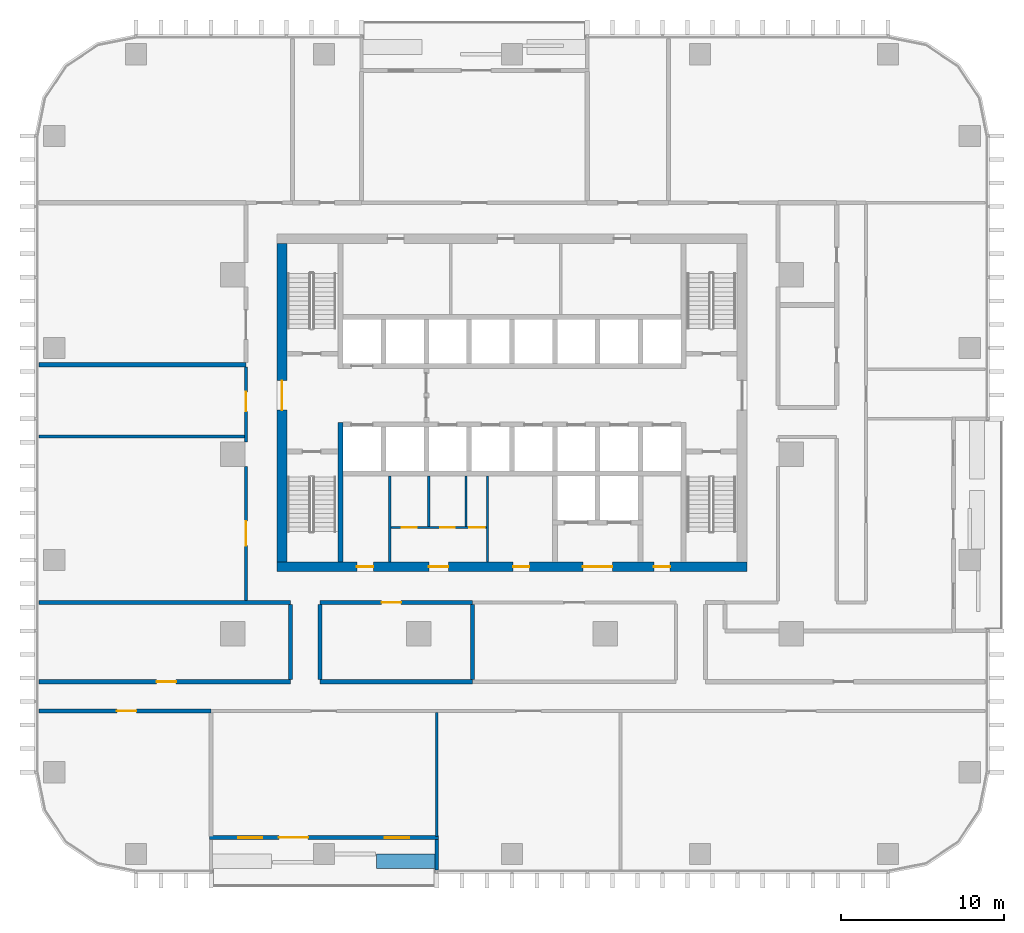
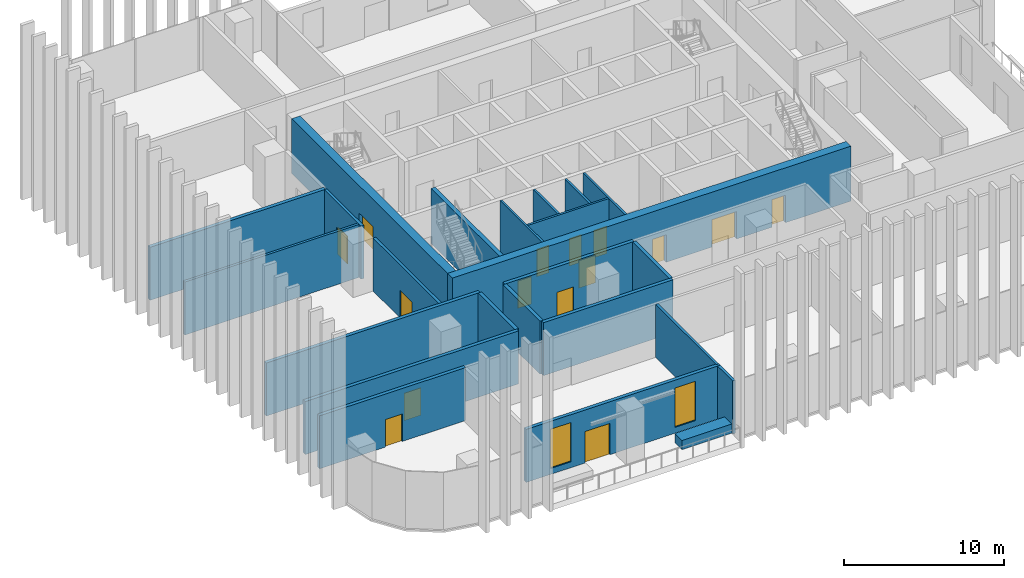
# One storey, part 7 of 17: 24 walls, 15 doors, 2 windows, 17 openings.
"""IFC4 building model written with IfcOpenShell, lengths in metres."""

from ifc_helpers import new_model, si_unit, direction, frame, frame_2d, origin, place, context, subcontext, project, spatial, rectangle, extrude, material, layer, layer_set, type_object, element, fill, save


model = new_model("IFC4")

# Units and contexts
model_context = context("Model", 3, precision=1e-05, world=origin(), true_north=direction((0.0, 1.0)))
body_context = subcontext(model_context, "Body", "Model", "MODEL_VIEW")
ifc_project = project(units=[si_unit("LENGTHUNIT", "METRE"), si_unit("AREAUNIT", "SQUARE_METRE"), si_unit("VOLUMEUNIT", "CUBIC_METRE"), si_unit("PLANEANGLEUNIT", "RADIAN"), si_unit("MASSUNIT", "GRAM", prefix="KILO")], contexts=[model_context])

# Site, building, storey
site_placement = place(None, origin())
site = spatial("IfcSite", under=ifc_project, at=site_placement, CompositionType="ELEMENT")
building_placement = place(site_placement, origin())
building = spatial("IfcBuilding", under=site, at=building_placement, Name="Mopane Tessera Tower", CompositionType="ELEMENT")
storey_placement = place(building_placement, frame((0.0, 0.0, 135.10009765625)))
storey = spatial("IfcBuildingStorey", under=building, at=storey_placement, Name="L27", CompositionType="ELEMENT", Elevation=135.10009765625)

# Wall
ifc_material_1 = material(Name="Fire-rated gypsum board partition")
ifc_layer_1 = layer(ifc_material_1, 0.14990234375)
ifc_layer_set_1 = layer_set([ifc_layer_1], Name="Fire-rated gypsum board partition")
wall_type_1 = type_object("IfcWallType", Name="Core room partition 150 mm", PredefinedType="PARTITIONING", material=ifc_layer_set_1)
wall_1_placement = place(storey_placement, frame((-7.5, -6.60009765625, 0.0), z_axis=(0.0, 0.0, 1.0), x_axis=(0.0, 1.0, 0.0)))
element("IfcWall", 1, at=wall_1_placement, inside=storey, type_object=wall_type_1, Name="L27 Room partition", PredefinedType="PARTITIONING", context=body_context, shape_type="SweptSolid", body=[
    extrude(rectangle(XDim=5.25, YDim=0.14990234375, at=frame_2d((2.625, 0.0))), origin(), (0.0, 0.0, 1.0), 4.199951171875),
])

# Wall, openings, doors
wall_2_placement = place(storey_placement, frame((-7.425048828125, -4.5, 0.0), z_axis=(0.0, 0.0, 1.0), x_axis=(1.0, 0.0, 0.0)))
wall_2 = element("IfcWall", 2, at=wall_2_placement, inside=storey, type_object=wall_type_1, Name="L27 WC partition", PredefinedType="PARTITIONING", context=body_context, shape_type="SweptSolid", body=[
    extrude(rectangle(XDim=5.85009765625, YDim=0.14990234375, at=frame_2d((2.925048828125, 0.0))), origin(), (0.0, 0.0, 1.0), 4.199951171875),
])
opening_1_placement = place(wall_2_placement, frame((0.675048828125, 0.0, 0.0)))
opening_1 = element("IfcOpeningElement", 3, at=opening_1_placement, cuts=wall_2, Name="Opening WD1", PredefinedType="OPENING", context=body_context, shape_type="SweptSolid", body=[
    extrude(rectangle(XDim=0.89990234375, YDim=2.10009765625, at=frame_2d((0.449951171875, 1.050048828125))), frame((0.0, 0.0869140625, 0.0), z_axis=(0.0, -1.0, 0.0), x_axis=(1.0, 0.0, 0.0)), (0.0, 0.0, 1.0), 0.173828125),
])
opening_2_placement = place(wall_2_placement, frame((3.014892578125, 0.0, 0.0)))
opening_2 = element("IfcOpeningElement", 4, at=opening_2_placement, cuts=wall_2, Name="Opening WD1", PredefinedType="OPENING", context=body_context, shape_type="SweptSolid", body=[
    extrude(rectangle(XDim=0.89990234375, YDim=2.10009765625, at=frame_2d((0.449951171875, 1.050048828125))), frame((0.0, 0.0869140625, 0.0), z_axis=(0.0, -1.0, 0.0), x_axis=(1.0, 0.0, 0.0)), (0.0, 0.0, 1.0), 0.173828125),
])
opening_3_placement = place(wall_2_placement, frame((4.7900390625, 0.0, 0.0)))
opening_3 = element("IfcOpeningElement", 5, at=opening_3_placement, cuts=wall_2, Name="Opening WD2", PredefinedType="OPENING", context=body_context, shape_type="SweptSolid", body=[
    extrude(rectangle(XDim=0.949951171875, YDim=2.10009765625, at=frame_2d((0.47509765625, 1.050048828125))), frame((0.0, 0.0869140625, 0.0), z_axis=(0.0, -1.0, 0.0), x_axis=(1.0, 0.0, 0.0)), (0.0, 0.0, 1.0), 0.173828125),
])
ifc_material_2 = material(Name="Timber door", Category="wood")
door_type_1 = type_object("IfcDoorType", Name="Accessible WC door 950 x 2100", OperationType="SINGLE_SWING_LEFT", PredefinedType="DOOR", material=ifc_material_2)
door_1_placement = place(opening_3_placement, origin())
door_1 = element("IfcDoor", 6, at=door_1_placement, inside=storey, type_object=door_type_1, Name="L27 Accessible WC door", OperationType="SINGLE_SWING_LEFT", OverallHeight=2.10009765625, OverallWidth=0.949951171875, PredefinedType="DOOR", context=body_context, shape_type="SweptSolid", body=[
    extrude(rectangle(XDim=0.949951171875, YDim=2.10009765625, at=frame_2d((0.47509765625, 1.050048828125))), frame((0.0, 0.02490234375, 0.0), z_axis=(0.0, -1.0, 0.0), x_axis=(1.0, 0.0, 0.0)), (0.0, 0.0, 1.0), 0.050048828125),
])
fill(opening_3, door_1)
ifc_material_3 = material(Name="Timber door", Category="wood")
door_type_2 = type_object("IfcDoorType", Name="WC cubicle door 900 x 2100", OperationType="SINGLE_SWING_LEFT", PredefinedType="DOOR", material=ifc_material_3)
door_2_placement = place(opening_1_placement, origin())
door_2 = element("IfcDoor", 7, at=door_2_placement, inside=storey, type_object=door_type_2, Name="L27 Men's WC door", OperationType="SINGLE_SWING_LEFT", OverallHeight=2.10009765625, OverallWidth=0.89990234375, PredefinedType="DOOR", context=body_context, shape_type="SweptSolid", body=[
    extrude(rectangle(XDim=0.89990234375, YDim=2.10009765625, at=frame_2d((0.449951171875, 1.050048828125))), frame((0.0, 0.02490234375, 0.0), z_axis=(0.0, -1.0, 0.0), x_axis=(1.0, 0.0, 0.0)), (0.0, 0.0, 1.0), 0.050048828125),
])
fill(opening_1, door_2)
door_3_placement = place(opening_2_placement, origin())
door_3 = element("IfcDoor", 8, at=door_3_placement, inside=storey, type_object=door_type_2, Name="L27 Women's WC door", OperationType="SINGLE_SWING_LEFT", OverallHeight=2.10009765625, OverallWidth=0.89990234375, PredefinedType="DOOR", context=body_context, shape_type="SweptSolid", body=[
    extrude(rectangle(XDim=0.89990234375, YDim=2.10009765625, at=frame_2d((0.449951171875, 1.050048828125))), frame((0.0, 0.02490234375, 0.0), z_axis=(0.0, -1.0, 0.0), x_axis=(1.0, 0.0, 0.0)), (0.0, 0.0, 1.0), 0.050048828125),
])
fill(opening_2, door_3)

# Walls
for number, where, z_axis, x_axis, name in (
    (9, (-5.10009765625, -4.425048828125, 0.0), (0.0, 0.0, 1.0), (0.0, 1.0, 0.0), "L27 WC partition"),
    (10, (-2.820068359375, -4.425048828125, 0.0), (0.0, 0.0, 1.0), (0.0, 1.0, 0.0), "L27 WC partition"),
):
    element("IfcWall", number, at=place(storey_placement, frame(where, z_axis=z_axis, x_axis=x_axis)), inside=storey, type_object=wall_type_1, Name=name, PredefinedType="PARTITIONING", context=body_context, shape_type="SweptSolid", body=[
        extrude(rectangle(XDim=3.074951171875, YDim=0.14990234375, at=frame_2d((1.53759765625, 0.0))), origin(), (0.0, 0.0, 1.0), 4.199951171875),
    ])
wall_3_placement = place(storey_placement, frame((-1.5, -6.60009765625, 0.0), z_axis=(0.0, 0.0, 1.0), x_axis=(0.0, 1.0, 0.0)))
element("IfcWall", 11, at=wall_3_placement, inside=storey, type_object=wall_type_1, Name="L27 Room partition", PredefinedType="PARTITIONING", context=body_context, shape_type="SweptSolid", body=[
    extrude(rectangle(XDim=5.25, YDim=0.14990234375, at=frame_2d((2.625, 0.0))), origin(), (0.0, 0.0, 1.0), 4.199951171875),
])

# Wall, openings, doors
ifc_material_4 = material(Name="Concrete C70/85", Category="concrete")
ifc_layer_2 = layer(ifc_material_4, 0.60009765625)
ifc_layer_set_2 = layer_set([ifc_layer_2], Name="Concrete C70/85")
wall_type_2 = type_object("IfcWallType", Name="Core shear wall 600 mm", PredefinedType="SHEAR", material=ifc_layer_set_2)
wall_4_placement = place(storey_placement, frame((-14.39990234375, -6.89990234375, 0.0), z_axis=(0.0, 0.0, 1.0), x_axis=(1.0, 0.0, 0.0)))
wall_4 = element("IfcWall", 12, at=wall_4_placement, inside=storey, type_object=wall_type_2, Name="L27 Core wall south", PredefinedType="SHEAR", context=body_context, shape_type="SweptSolid", body=[
    extrude(rectangle(XDim=28.7998046875, YDim=0.60009765625, at=frame_2d((14.39990234375, 0.0))), origin(), (0.0, 0.0, 1.0), 4.199951171875),
])
opening_4_placement = place(wall_4_placement, frame((4.89990234375, 0.0, 0.0)))
opening_4 = element("IfcOpeningElement", 13, at=opening_4_placement, cuts=wall_4, Name="Opening RD1", PredefinedType="OPENING", context=body_context, shape_type="SweptSolid", body=[
    extrude(rectangle(XDim=1.0, YDim=2.10009765625, at=frame_2d((0.5, 1.050048828125))), frame((0.0, 0.31201171875, 0.0), z_axis=(0.0, -1.0, 0.0), x_axis=(1.0, 0.0, 0.0)), (0.0, 0.0, 1.0), 0.6240234375),
])
opening_5_placement = place(wall_4_placement, frame((9.300048828125, 0.0, 0.0)))
opening_5 = element("IfcOpeningElement", 14, at=opening_5_placement, cuts=wall_4, Name="Opening WD3", PredefinedType="OPENING", context=body_context, shape_type="SweptSolid", body=[
    extrude(rectangle(XDim=1.199951171875, YDim=2.10009765625, at=frame_2d((0.60009765625, 1.050048828125))), frame((0.0, 0.31201171875, 0.0), z_axis=(0.0, -1.0, 0.0), x_axis=(1.0, 0.0, 0.0)), (0.0, 0.0, 1.0), 0.6240234375),
])
opening_6_placement = place(wall_4_placement, frame((14.46240234375, 0.0, 0.0)))
opening_6 = element("IfcOpeningElement", 15, at=opening_6_placement, cuts=wall_4, Name="Opening RD1", PredefinedType="OPENING", context=body_context, shape_type="SweptSolid", body=[
    extrude(rectangle(XDim=1.0, YDim=2.10009765625, at=frame_2d((0.5, 1.050048828125))), frame((0.0, 0.31201171875, 0.0), z_axis=(0.0, -1.0, 0.0), x_axis=(1.0, 0.0, 0.0)), (0.0, 0.0, 1.0), 0.6240234375),
])
opening_7_placement = place(wall_4_placement, frame((18.75, 0.0, 0.0)))
opening_7 = element("IfcOpeningElement", 16, at=opening_7_placement, cuts=wall_4, Name="Opening SD2", PredefinedType="OPENING", context=body_context, shape_type="SweptSolid", body=[
    extrude(rectangle(XDim=1.800048828125, YDim=2.10009765625, at=frame_2d((0.89990234375, 1.050048828125))), frame((0.0, 0.31201171875, 0.0), z_axis=(0.0, -1.0, 0.0), x_axis=(1.0, 0.0, 0.0)), (0.0, 0.0, 1.0), 0.6240234375),
])
opening_8_placement = place(wall_4_placement, frame((23.08740234375, 0.0, 0.0)))
opening_8 = element("IfcOpeningElement", 17, at=opening_8_placement, cuts=wall_4, Name="Opening RD1", PredefinedType="OPENING", context=body_context, shape_type="SweptSolid", body=[
    extrude(rectangle(XDim=1.0, YDim=2.10009765625, at=frame_2d((0.5, 1.050048828125))), frame((0.0, 0.31201171875, 0.0), z_axis=(0.0, -1.0, 0.0), x_axis=(1.0, 0.0, 0.0)), (0.0, 0.0, 1.0), 0.6240234375),
])
ifc_material_5 = material(Name="Steel fire door", Category="steel")
door_type_3 = type_object("IfcDoorType", Name="Core entrance double door 1800 x 2100", OperationType="DOUBLE_DOOR_SINGLE_SWING", PredefinedType="DOOR", material=ifc_material_5)
door_4_placement = place(opening_7_placement, origin())
door_4 = element("IfcDoor", 18, at=door_4_placement, inside=storey, type_object=door_type_3, Name="L27 Service lobby door", OperationType="DOUBLE_DOOR_SINGLE_SWING", OverallHeight=2.10009765625, OverallWidth=1.800048828125, PredefinedType="DOOR", context=body_context, shape_type="SweptSolid", body=[
    extrude(rectangle(XDim=1.800048828125, YDim=2.10009765625, at=frame_2d((0.89990234375, 1.050048828125))), frame((0.0, 0.02490234375, 0.0), z_axis=(0.0, -1.0, 0.0), x_axis=(1.0, 0.0, 0.0)), (0.0, 0.0, 1.0), 0.050048828125),
])
fill(opening_7, door_4)
ifc_material_6 = material(Name="Timber door", Category="wood")
door_type_4 = type_object("IfcDoorType", Name="Core room door 1000 x 2100", OperationType="SINGLE_SWING_LEFT", PredefinedType="DOOR", material=ifc_material_6)
door_5_placement = place(opening_4_placement, origin())
door_5 = element("IfcDoor", 19, at=door_5_placement, inside=storey, type_object=door_type_4, Name="L27 Room door", OperationType="SINGLE_SWING_LEFT", OverallHeight=2.10009765625, OverallWidth=1.0, PredefinedType="DOOR", context=body_context, shape_type="SweptSolid", body=[
    extrude(rectangle(XDim=1.0, YDim=2.10009765625, at=frame_2d((0.5, 1.050048828125))), frame((0.0, 0.02490234375, 0.0), z_axis=(0.0, -1.0, 0.0), x_axis=(1.0, 0.0, 0.0)), (0.0, 0.0, 1.0), 0.050048828125),
])
fill(opening_4, door_5)
door_6_placement = place(opening_6_placement, origin())
door_6 = element("IfcDoor", 20, at=door_6_placement, inside=storey, type_object=door_type_4, Name="L27 Room door", OperationType="SINGLE_SWING_LEFT", OverallHeight=2.10009765625, OverallWidth=1.0, PredefinedType="DOOR", context=body_context, shape_type="SweptSolid", body=[
    extrude(rectangle(XDim=1.0, YDim=2.10009765625, at=frame_2d((0.5, 1.050048828125))), frame((0.0, 0.02490234375, 0.0), z_axis=(0.0, -1.0, 0.0), x_axis=(1.0, 0.0, 0.0)), (0.0, 0.0, 1.0), 0.050048828125),
])
fill(opening_6, door_6)
door_7_placement = place(opening_8_placement, origin())
door_7 = element("IfcDoor", 21, at=door_7_placement, inside=storey, type_object=door_type_4, Name="L27 Room door", OperationType="SINGLE_SWING_LEFT", OverallHeight=2.10009765625, OverallWidth=1.0, PredefinedType="DOOR", context=body_context, shape_type="SweptSolid", body=[
    extrude(rectangle(XDim=1.0, YDim=2.10009765625, at=frame_2d((0.5, 1.050048828125))), frame((0.0, 0.02490234375, 0.0), z_axis=(0.0, -1.0, 0.0), x_axis=(1.0, 0.0, 0.0)), (0.0, 0.0, 1.0), 0.050048828125),
])
fill(opening_8, door_7)
ifc_material_7 = material(Name="Timber door", Category="wood")
door_type_5 = type_object("IfcDoorType", Name="WC lobby door 1200 x 2100", OperationType="SINGLE_SWING_LEFT", PredefinedType="DOOR", material=ifc_material_7)
door_8_placement = place(opening_5_placement, origin())
door_8 = element("IfcDoor", 22, at=door_8_placement, inside=storey, type_object=door_type_5, Name="L27 WC lobby door", OperationType="SINGLE_SWING_LEFT", OverallHeight=2.10009765625, OverallWidth=1.199951171875, PredefinedType="DOOR", context=body_context, shape_type="SweptSolid", body=[
    extrude(rectangle(XDim=1.199951171875, YDim=2.10009765625, at=frame_2d((0.60009765625, 1.050048828125))), frame((0.0, 0.02490234375, 0.0), z_axis=(0.0, -1.0, 0.0), x_axis=(1.0, 0.0, 0.0)), (0.0, 0.0, 1.0), 0.050048828125),
])
fill(opening_5, door_8)

# Wall, opening, door
wall_5_placement = place(storey_placement, frame((-14.10009765625, -6.60009765625, 0.0), z_axis=(0.0, 0.0, 1.0), x_axis=(0.0, 1.0, 0.0)))
wall_5 = element("IfcWall", 23, at=wall_5_placement, inside=storey, type_object=wall_type_2, Name="L27 Core wall west", PredefinedType="SHEAR", context=body_context, shape_type="SweptSolid", body=[
    extrude(rectangle(XDim=19.5, YDim=0.60009765625, at=frame_2d((9.75, 0.0))), origin(), (0.0, 0.0, 1.0), 4.199951171875),
])
opening_9_placement = place(wall_5_placement, frame((9.300048828125, 0.0, 0.0)))
opening_9 = element("IfcOpeningElement", 24, at=opening_9_placement, cuts=wall_5, Name="Opening SD2", PredefinedType="OPENING", context=body_context, shape_type="SweptSolid", body=[
    extrude(rectangle(XDim=1.800048828125, YDim=2.10009765625, at=frame_2d((0.89990234375, 1.050048828125))), frame((0.0, 0.31201171875, 0.0), z_axis=(0.0, -1.0, 0.0), x_axis=(1.0, 0.0, 0.0)), (0.0, 0.0, 1.0), 0.6240234375),
])
door_9_placement = place(opening_9_placement, origin())
door_9 = element("IfcDoor", 25, at=door_9_placement, inside=storey, type_object=door_type_3, Name="L27 Core entrance door west", OperationType="DOUBLE_DOOR_SINGLE_SWING", OverallHeight=2.10009765625, OverallWidth=1.800048828125, PredefinedType="DOOR", context=body_context, shape_type="SweptSolid", body=[
    extrude(rectangle(XDim=1.800048828125, YDim=2.10009765625, at=frame_2d((0.89990234375, 1.050048828125))), frame((0.0, 0.02490234375, 0.0), z_axis=(0.0, -1.0, 0.0), x_axis=(1.0, 0.0, 0.0)), (0.0, 0.0, 1.0), 0.050048828125),
])
fill(opening_9, door_9)

# Walls
ifc_material_8 = material(Name="Concrete C60/75", Category="concrete")
ifc_layer_3 = layer(ifc_material_8, 0.300048828125)
ifc_layer_set_3 = layer_set([ifc_layer_3], Name="Concrete C60/75")
wall_type_3 = type_object("IfcWallType", Name="Core spine wall 300 mm", PredefinedType="SHEAR", material=ifc_layer_set_3)
wall_6_placement = place(storey_placement, frame((-10.5, -6.60009765625, 0.0), z_axis=(0.0, 0.0, 1.0), x_axis=(0.0, 1.0, 0.0)))
element("IfcWall", 26, at=wall_6_placement, inside=storey, type_object=wall_type_3, Name="L27 Core spine wall", PredefinedType="SHEAR", context=body_context, shape_type="SweptSolid", body=[
    extrude(rectangle(XDim=8.550048828125, YDim=0.300048828125, at=frame_2d((4.27490234375, 0.0))), origin(), (0.0, 0.0, 1.0), 4.199951171875),
])
ifc_material_9 = material(Name="Gypsum board on staggered steel studs, double layer each face, acoustic mineral wool infill", Category="steel")
ifc_layer_4 = layer(ifc_material_9, 0.175048828125)
ifc_layer_set_4 = layer_set([ifc_layer_4], Name="Gypsum board on staggered steel studs, double layer each face, acoustic mineral wool infill")
wall_type_4 = type_object("IfcWallType", Name="Gypsum board acoustic partition 175, rated EI 60", PredefinedType="PARTITIONING", material=ifc_layer_set_4)
wall_7_placement = place(storey_placement, frame((-29.0, 1.074951171875, 0.0), z_axis=(0.0, 0.0, 1.0), x_axis=(1.0, 0.0, 0.0)))
element("IfcWall", 27, at=wall_7_placement, inside=storey, type_object=wall_type_4, Name="Partition L27:015", PredefinedType="PARTITIONING", context=body_context, shape_type="SweptSolid", body=[
    extrude(rectangle(XDim=12.60009765625, YDim=0.175048828125, at=frame_2d((6.300048828125, 0.0))), origin(), (0.0, 0.0, 1.0), 4.0498046875),
])
wall_8_placement = place(storey_placement, frame((-4.610107421875, -23.449951171875, 0.0), z_axis=(0.0, 0.0, 1.0), x_axis=(0.0, 1.0, 0.0)))
element("IfcWall", 28, at=wall_8_placement, inside=storey, type_object=wall_type_4, Name="Partition L27:039", PredefinedType="PARTITIONING", context=body_context, shape_type="SweptSolid", body=[
    extrude(rectangle(XDim=7.599853515625, YDim=0.175048828125, at=frame_2d((3.7998046875, 0.0))), origin(), (0.0, 0.0, 1.0), 4.0498046875),
])

# Wall, opening, door
ifc_material_10 = material(Name="Gypsum board on steel studs, two layers each face, mineral wool infill", Category="steel")
ifc_layer_5 = layer(ifc_material_10, 0.199951171875)
ifc_layer_set_5 = layer_set([ifc_layer_5], Name="Gypsum board on steel studs, two layers each face, mineral wool infill")
wall_type_5 = type_object("IfcWallType", Name="Gypsum board corridor wall 200, rated EI 60", PredefinedType="PARTITIONING", material=ifc_layer_set_5)
wall_9_placement = place(storey_placement, frame((-16.300048828125, -8.97509765625, 0.0), z_axis=(0.0, 0.0, 1.0), x_axis=(0.0, 1.0, 0.0)))
wall_9 = element("IfcWall", 29, at=wall_9_placement, inside=storey, type_object=wall_type_5, Name="Partition L27:031", PredefinedType="PARTITIONING", context=body_context, shape_type="SweptSolid", body=[
    extrude(rectangle(XDim=8.22509765625, YDim=0.199951171875, at=frame_2d((4.112548828125, 0.0))), origin(), (0.0, 0.0, 1.0), 4.0498046875),
])
opening_10_placement = place(wall_9_placement, frame((3.362548828125, 0.0, 0.0)))
opening_10 = element("IfcOpeningElement", 30, at=opening_10_placement, cuts=wall_9, Name="Opening L27-02", PredefinedType="OPENING", context=body_context, shape_type="SweptSolid", body=[
    extrude(rectangle(XDim=1.5, YDim=2.10009765625, at=frame_2d((0.75, 1.050048828125))), frame((0.0, 0.112060546875, 0.0), z_axis=(0.0, -1.0, 0.0), x_axis=(1.0, 0.0, 0.0)), (0.0, 0.0, 1.0), 0.223876953125),
])
ifc_material_11 = material(Name="Timber veneered steel-framed fire door", Category="steel")
door_type_6 = type_object("IfcDoorType", Name="Fire door pair FD60 1500 x 2100", OperationType="DOUBLE_DOOR_SINGLE_SWING", PredefinedType="DOOR", material=ifc_material_11)
door_10_placement = place(opening_10_placement, origin())
door_10 = element("IfcDoor", 31, at=door_10_placement, inside=storey, type_object=door_type_6, Name="Door L27-02", ObjectType="D17A", OperationType="DOUBLE_DOOR_SINGLE_SWING", OverallHeight=2.10009765625, OverallWidth=1.5, PredefinedType="DOOR", context=body_context, shape_type="SweptSolid", body=[
    extrude(rectangle(XDim=1.5, YDim=2.10009765625, at=frame_2d((0.75, 1.050048828125))), frame((0.0, 0.02490234375, 0.0), z_axis=(0.0, -1.0, 0.0), x_axis=(1.0, 0.0, 0.0)), (0.0, 0.0, 1.0), 0.050048828125),
])
fill(opening_10, door_10)

wall_10_placement = place(storey_placement, frame((-16.300048828125, 0.75, 0.0), z_axis=(0.0, 0.0, 1.0), x_axis=(0.0, 1.0, 0.0)))
wall_10 = element("IfcWall", 32, at=wall_10_placement, inside=storey, type_object=wall_type_5, Name="Partition L27:032", PredefinedType="PARTITIONING", context=body_context, shape_type="SweptSolid", body=[
    extrude(rectangle(XDim=4.60009765625, YDim=0.199951171875, at=frame_2d((2.300048828125, 0.0))), origin(), (0.0, 0.0, 1.0), 4.0498046875),
])
opening_11_placement = place(wall_10_placement, frame((1.862548828125, 0.0, 0.0)))
opening_11 = element("IfcOpeningElement", 33, at=opening_11_placement, cuts=wall_10, Name="Opening L27-06", PredefinedType="OPENING", context=body_context, shape_type="SweptSolid", body=[
    extrude(rectangle(XDim=1.199951171875, YDim=2.10009765625, at=frame_2d((0.60009765625, 1.050048828125))), frame((0.0, 0.112060546875, 0.0), z_axis=(0.0, -1.0, 0.0), x_axis=(1.0, 0.0, 0.0)), (0.0, 0.0, 1.0), 0.223876953125),
])
ifc_material_12 = material(Name="Timber veneered steel-framed fire door", Category="steel")
door_type_7 = type_object("IfcDoorType", Name="Fire door FD60 1200 x 2100", OperationType="SINGLE_SWING_LEFT", PredefinedType="DOOR", material=ifc_material_12)
door_11_placement = place(opening_11_placement, origin())
door_11 = element("IfcDoor", 34, at=door_11_placement, inside=storey, type_object=door_type_7, Name="Door L27-06", ObjectType="D15A", OperationType="SINGLE_SWING_LEFT", OverallHeight=2.10009765625, OverallWidth=1.199951171875, PredefinedType="DOOR", context=body_context, shape_type="SweptSolid", body=[
    extrude(rectangle(XDim=1.199951171875, YDim=2.10009765625, at=frame_2d((0.60009765625, 1.050048828125))), frame((0.0, 0.02490234375, 0.0), z_axis=(0.0, -1.0, 0.0), x_axis=(1.0, 0.0, 0.0)), (0.0, 0.0, 1.0), 0.050048828125),
])
fill(opening_11, door_11)

# Wall
ifc_material_13 = material(Name="Reinforced concrete C32/40 with waterproofing", Category="concrete")
ifc_layer_6 = layer(ifc_material_13, 0.89990234375)
ifc_layer_set_6 = layer_set([ifc_layer_6], Name="Reinforced concrete C32/40 with waterproofing")
wall_type_6 = type_object("IfcWallType", Name="Planter trough 3600 x 900", PredefinedType="STANDARD", material=ifc_layer_set_6)
wall_11_placement = place(storey_placement, frame((-8.31005859375, -24.949951171875, 0.0), z_axis=(0.0, 0.0, 1.0), x_axis=(1.0, 0.0, 0.0)))
element("IfcWall", 35, at=wall_11_placement, inside=storey, type_object=wall_type_6, Name="e:nw:L27:N2:pl1", PredefinedType="STANDARD", context=body_context, shape_type="SweptSolid", body=[
    extrude(rectangle(XDim=3.60009765625, YDim=0.89990234375, at=frame_2d((1.800048828125, 0.0))), origin(), (0.0, 0.0, 1.0), 0.699951171875),
])

# Wall, opening, door
ifc_material_14 = material(Name="Plastered concrete blockwork C20/25", Category="masonry")
ifc_layer_7 = layer(ifc_material_14, 0.25)
ifc_layer_set_7 = layer_set([ifc_layer_7], Name="Plastered concrete blockwork C20/25")
wall_type_7 = type_object("IfcWallType", Name="Plastered blockwork wall 250, rated EI 120", PredefinedType="PARTITIONING", material=ifc_layer_set_7)
wall_12_placement = place(storey_placement, frame((-29.0, -15.75, 0.0), z_axis=(0.0, 0.0, 1.0), x_axis=(1.0, 0.0, 0.0)))
wall_12 = element("IfcWall", 36, at=wall_12_placement, inside=storey, type_object=wall_type_7, Name="Partition L27:001", PredefinedType="PARTITIONING", context=body_context, shape_type="SweptSolid", body=[
    extrude(rectangle(XDim=10.56005859375, YDim=0.25, at=frame_2d((5.280029296875, 0.0))), origin(), (0.0, 0.0, 1.0), 4.0498046875),
])
opening_12_placement = place(wall_12_placement, frame((4.780029296875, 0.0, 0.0)))
opening_12 = element("IfcOpeningElement", 37, at=opening_12_placement, cuts=wall_12, Name="Opening L27-04", PredefinedType="OPENING", context=body_context, shape_type="SweptSolid", body=[
    extrude(rectangle(XDim=1.199951171875, YDim=2.10009765625, at=frame_2d((0.60009765625, 1.050048828125))), frame((0.0, 0.136962890625, 0.0), z_axis=(0.0, -1.0, 0.0), x_axis=(1.0, 0.0, 0.0)), (0.0, 0.0, 1.0), 0.27392578125),
])
ifc_material_15 = material(Name="Timber veneered steel-framed fire door", Category="steel")
door_type_8 = type_object("IfcDoorType", Name="Fire door FD120 1200 x 2100", OperationType="SINGLE_SWING_LEFT", PredefinedType="DOOR", material=ifc_material_15)
door_12_placement = place(opening_12_placement, origin())
door_12 = element("IfcDoor", 38, at=door_12_placement, inside=storey, type_object=door_type_8, Name="Door L27-04", ObjectType="D15B", OperationType="SINGLE_SWING_LEFT", OverallHeight=2.10009765625, OverallWidth=1.199951171875, PredefinedType="DOOR", context=body_context, shape_type="SweptSolid", body=[
    extrude(rectangle(XDim=1.199951171875, YDim=2.10009765625, at=frame_2d((0.60009765625, 1.050048828125))), frame((0.0, 0.02490234375, 0.0), z_axis=(0.0, -1.0, 0.0), x_axis=(1.0, 0.0, 0.0)), (0.0, 0.0, 1.0), 0.050048828125),
])
fill(opening_12, door_12)

wall_13_placement = place(storey_placement, frame((-29.0, -13.949951171875, 0.0), z_axis=(0.0, 0.0, 1.0), x_axis=(1.0, 0.0, 0.0)))
wall_13 = element("IfcWall", 39, at=wall_13_placement, inside=storey, type_object=wall_type_7, Name="Partition L27:003", PredefinedType="PARTITIONING", context=body_context, shape_type="SweptSolid", body=[
    extrude(rectangle(XDim=15.429931640625, YDim=0.25, at=frame_2d((7.71484375, 0.0))), origin(), (0.0, 0.0, 1.0), 4.0498046875),
])
opening_13_placement = place(wall_13_placement, frame((7.215087890625, 0.0, 0.0)))
opening_13 = element("IfcOpeningElement", 40, at=opening_13_placement, cuts=wall_13, Name="Opening L27-15", PredefinedType="OPENING", context=body_context, shape_type="SweptSolid", body=[
    extrude(rectangle(XDim=1.199951171875, YDim=2.10009765625, at=frame_2d((0.60009765625, 1.050048828125))), frame((0.0, 0.136962890625, 0.0), z_axis=(0.0, -1.0, 0.0), x_axis=(1.0, 0.0, 0.0)), (0.0, 0.0, 1.0), 0.27392578125),
])
door_13_placement = place(opening_13_placement, origin())
door_13 = element("IfcDoor", 41, at=door_13_placement, inside=storey, type_object=door_type_8, Name="Door L27-15", ObjectType="D15B", OperationType="SINGLE_SWING_LEFT", OverallHeight=2.10009765625, OverallWidth=1.199951171875, PredefinedType="DOOR", context=body_context, shape_type="SweptSolid", body=[
    extrude(rectangle(XDim=1.199951171875, YDim=2.10009765625, at=frame_2d((0.60009765625, 1.050048828125))), frame((0.0, 0.02490234375, 0.0), z_axis=(0.0, -1.0, 0.0), x_axis=(1.0, 0.0, 0.0)), (0.0, 0.0, 1.0), 0.050048828125),
])
fill(opening_13, door_13)

# Walls
wall_14_placement = place(storey_placement, frame((-11.77001953125, -13.949951171875, 0.0), z_axis=(0.0, 0.0, 1.0), x_axis=(1.0, 0.0, 0.0)))
element("IfcWall", 42, at=wall_14_placement, inside=storey, type_object=wall_type_7, Name="Partition L27:004", PredefinedType="PARTITIONING", context=body_context, shape_type="SweptSolid", body=[
    extrude(rectangle(XDim=9.35009765625, YDim=0.25, at=frame_2d((4.675048828125, 0.0))), origin(), (0.0, 0.0, 1.0), 4.0498046875),
])
wall_15_placement = place(storey_placement, frame((-29.0, -9.10009765625, 0.0), z_axis=(0.0, 0.0, 1.0), x_axis=(1.0, 0.0, 0.0)))
element("IfcWall", 43, at=wall_15_placement, inside=storey, type_object=wall_type_7, Name="Partition L27:011", PredefinedType="PARTITIONING", context=body_context, shape_type="SweptSolid", body=[
    extrude(rectangle(XDim=15.429931640625, YDim=0.25, at=frame_2d((7.71484375, 0.0))), origin(), (0.0, 0.0, 1.0), 4.0498046875),
])

# Wall, opening, door
wall_16_placement = place(storey_placement, frame((-11.77001953125, -9.10009765625, 0.0), z_axis=(0.0, 0.0, 1.0), x_axis=(1.0, 0.0, 0.0)))
wall_16 = element("IfcWall", 44, at=wall_16_placement, inside=storey, type_object=wall_type_7, Name="Partition L27:012", PredefinedType="PARTITIONING", context=body_context, shape_type="SweptSolid", body=[
    extrude(rectangle(XDim=9.35009765625, YDim=0.25, at=frame_2d((4.675048828125, 0.0))), origin(), (0.0, 0.0, 1.0), 4.0498046875),
])
opening_14_placement = place(wall_16_placement, frame((3.77490234375, 0.0, 0.0)))
opening_14 = element("IfcOpeningElement", 45, at=opening_14_placement, cuts=wall_16, Name="Opening L27-10", PredefinedType="OPENING", context=body_context, shape_type="SweptSolid", body=[
    extrude(rectangle(XDim=1.199951171875, YDim=2.10009765625, at=frame_2d((0.60009765625, 1.050048828125))), frame((0.0, 0.136962890625, 0.0), z_axis=(0.0, -1.0, 0.0), x_axis=(1.0, 0.0, 0.0)), (0.0, 0.0, 1.0), 0.27392578125),
])
door_14_placement = place(opening_14_placement, origin())
door_14 = element("IfcDoor", 46, at=door_14_placement, inside=storey, type_object=door_type_8, Name="Door L27-10", ObjectType="D15B", OperationType="SINGLE_SWING_LEFT", OverallHeight=2.10009765625, OverallWidth=1.199951171875, PredefinedType="DOOR", context=body_context, shape_type="SweptSolid", body=[
    extrude(rectangle(XDim=1.199951171875, YDim=2.10009765625, at=frame_2d((0.60009765625, 1.050048828125))), frame((0.0, 0.02490234375, 0.0), z_axis=(0.0, -1.0, 0.0), x_axis=(1.0, 0.0, 0.0)), (0.0, 0.0, 1.0), 0.050048828125),
])
fill(opening_14, door_14)

# Walls
wall_17_placement = place(storey_placement, frame((-29.0, 5.47509765625, 0.0), z_axis=(0.0, 0.0, 1.0), x_axis=(1.0, 0.0, 0.0)))
element("IfcWall", 47, at=wall_17_placement, inside=storey, type_object=wall_type_7, Name="Partition L27:019", PredefinedType="PARTITIONING", context=body_context, shape_type="SweptSolid", body=[
    extrude(rectangle(XDim=12.699951171875, YDim=0.25, at=frame_2d((6.35009765625, 0.0))), origin(), (0.0, 0.0, 1.0), 4.0498046875),
])
for number, where, z_axis, x_axis, name in (
    (48, (-13.570068359375, -13.824951171875, 0.0), (0.0, 0.0, 1.0), (0.0, 1.0, 0.0), "Partition L27:035"),
    (49, (-11.77001953125, -13.824951171875, 0.0), (0.0, 0.0, 1.0), (0.0, 1.0, 0.0), "Partition L27:037"),
    (50, (-2.419921875, -13.824951171875, 0.0), (0.0, 0.0, 1.0), (0.0, 1.0, 0.0), "Partition L27:040"),
):
    element("IfcWall", number, at=place(storey_placement, frame(where, z_axis=z_axis, x_axis=x_axis)), inside=storey, type_object=wall_type_7, Name=name, PredefinedType="PARTITIONING", context=body_context, shape_type="SweptSolid", body=[
        extrude(rectangle(XDim=4.599853515625, YDim=0.25, at=frame_2d((2.2998046875, 0.0))), origin(), (0.0, 0.0, 1.0), 4.0498046875),
    ])
ifc_material_16 = material(Name="Blockwork with glazed tile facing", Category="masonry")
ifc_layer_8 = layer(ifc_material_16, 0.199951171875)
ifc_layer_set_8 = layer_set([ifc_layer_8], Name="Blockwork with glazed tile facing")
wall_type_8 = type_object("IfcWallType", Name="Terrace cheek wall 200", PredefinedType="STANDARD", material=ifc_layer_set_8)
wall_18_placement = place(storey_placement, frame((-4.610107421875, -25.5, 0.0), z_axis=(0.0, 0.0, 1.0), x_axis=(0.0, 1.0, 0.0)))
element("IfcWall", 51, at=wall_18_placement, inside=storey, type_object=wall_type_8, Name="e:nw:L27:N2:cheekb", PredefinedType="STANDARD", context=body_context, shape_type="SweptSolid", body=[
    extrude(rectangle(XDim=1.875, YDim=0.199951171875, at=frame_2d((0.9375, 0.0))), origin(), (0.0, 0.0, 1.0), 4.0498046875),
])

# Wall, openings, windows, door
ifc_material_17 = material(Name="Blockwork with ultramarine glazed tile facing", Category="masonry")
ifc_layer_9 = layer(ifc_material_17, 0.25)
ifc_layer_set_9 = layer_set([ifc_layer_9], Name="Blockwork with ultramarine glazed tile facing")
wall_type_9 = type_object("IfcWallType", Name="Tile-clad external wall 250, ultramarine", PredefinedType="STANDARD", material=ifc_layer_set_9)
wall_19_placement = place(storey_placement, frame((-18.5400390625, -23.5, 0.0), z_axis=(0.0, 0.0, 1.0), x_axis=(1.0, 0.0, 0.0)))
wall_19 = element("IfcWall", 52, at=wall_19_placement, inside=storey, type_object=wall_type_9, Name="e:nw:L27:N2:back", PredefinedType="STANDARD", context=body_context, shape_type="SweptSolid", body=[
    extrude(rectangle(XDim=14.030029296875, YDim=0.25, at=frame_2d((7.01513671875, 0.0))), origin(), (0.0, 0.0, 1.0), 4.0498046875),
])
opening_15_placement = place(wall_19_placement, frame((1.75, 0.0, 0.449951171875)))
opening_15 = element("IfcOpeningElement", 53, at=opening_15_placement, cuts=wall_19, Name="Opening NW272A", PredefinedType="OPENING", context=body_context, shape_type="SweptSolid", body=[
    extrude(rectangle(XDim=1.5, YDim=3.0, at=frame_2d((0.75, 1.5))), frame((0.0, 0.136962890625, 0.0), z_axis=(0.0, -1.0, 0.0), x_axis=(1.0, 0.0, 0.0)), (0.0, 0.0, 1.0), 0.27392578125),
])
opening_16_placement = place(wall_19_placement, frame((4.25, 0.0, 0.0)))
opening_16 = element("IfcOpeningElement", 54, at=opening_16_placement, cuts=wall_19, Name="Opening ND272", PredefinedType="OPENING", context=body_context, shape_type="SweptSolid", body=[
    extrude(rectangle(XDim=1.800048828125, YDim=2.39990234375, at=frame_2d((0.89990234375, 1.199951171875))), frame((0.0, 0.136962890625, 0.0), z_axis=(0.0, -1.0, 0.0), x_axis=(1.0, 0.0, 0.0)), (0.0, 0.0, 1.0), 0.27392578125),
])
opening_17_placement = place(wall_19_placement, frame((10.75, 0.0, 0.449951171875)))
opening_17 = element("IfcOpeningElement", 55, at=opening_17_placement, cuts=wall_19, Name="Opening NW272B", PredefinedType="OPENING", context=body_context, shape_type="SweptSolid", body=[
    extrude(rectangle(XDim=1.5, YDim=3.0, at=frame_2d((0.75, 1.5))), frame((0.0, 0.136962890625, 0.0), z_axis=(0.0, -1.0, 0.0), x_axis=(1.0, 0.0, 0.0)), (0.0, 0.0, 1.0), 0.27392578125),
])
ifc_material_18 = material(Name="Clear laminated glass", Category="glass")
window_type = type_object("IfcWindowType", Name="Fixed window 1500 x 3000", PartitioningType="SINGLE_PANEL", PredefinedType="WINDOW", material=ifc_material_18)
window_1_placement = place(opening_15_placement, origin())
window_1 = element("IfcWindow", 56, at=window_1_placement, inside=storey, type_object=window_type, Name="e:nw:L27:N2:win0", OverallHeight=3.0, OverallWidth=1.5, PartitioningType="SINGLE_PANEL", PredefinedType="WINDOW", context=body_context, shape_type="SweptSolid", body=[
    extrude(rectangle(XDim=1.5, YDim=3.0, at=frame_2d((0.75, 1.5))), frame((0.0, 0.030029296875, 0.0), z_axis=(0.0, -1.0, 0.0), x_axis=(1.0, 0.0, 0.0)), (0.0, 0.0, 1.0), 0.06005859375),
])
fill(opening_15, window_1)
window_2_placement = place(opening_17_placement, origin())
window_2 = element("IfcWindow", 57, at=window_2_placement, inside=storey, type_object=window_type, Name="e:nw:L27:N2:win2", OverallHeight=3.0, OverallWidth=1.5, PartitioningType="SINGLE_PANEL", PredefinedType="WINDOW", context=body_context, shape_type="SweptSolid", body=[
    extrude(rectangle(XDim=1.5, YDim=3.0, at=frame_2d((0.75, 1.5))), frame((0.0, 0.030029296875, 0.0), z_axis=(0.0, -1.0, 0.0), x_axis=(1.0, 0.0, 0.0)), (0.0, 0.0, 1.0), 0.06005859375),
])
fill(opening_17, window_2)
ifc_material_19 = material(Name="Aluminium and clear glass", Category="aluminium")
door_type_9 = type_object("IfcDoorType", Name="Terrace double door 1800 x 2400", OperationType="DOUBLE_DOOR_SINGLE_SWING", PredefinedType="DOOR", material=ifc_material_19)
door_15_placement = place(opening_16_placement, origin())
door_15 = element("IfcDoor", 58, at=door_15_placement, inside=storey, type_object=door_type_9, Name="e:nw:L27:N2:door", ObjectType="D1", OperationType="DOUBLE_DOOR_SINGLE_SWING", OverallHeight=2.39990234375, OverallWidth=1.800048828125, PredefinedType="DOOR", context=body_context, shape_type="SweptSolid", body=[
    extrude(rectangle(XDim=1.800048828125, YDim=2.39990234375, at=frame_2d((0.89990234375, 1.199951171875))), frame((0.0, 0.02490234375, 0.0), z_axis=(0.0, -1.0, 0.0), x_axis=(1.0, 0.0, 0.0)), (0.0, 0.0, 1.0), 0.050048828125),
])
fill(opening_16, door_15)

save(model, "model.ifc")
